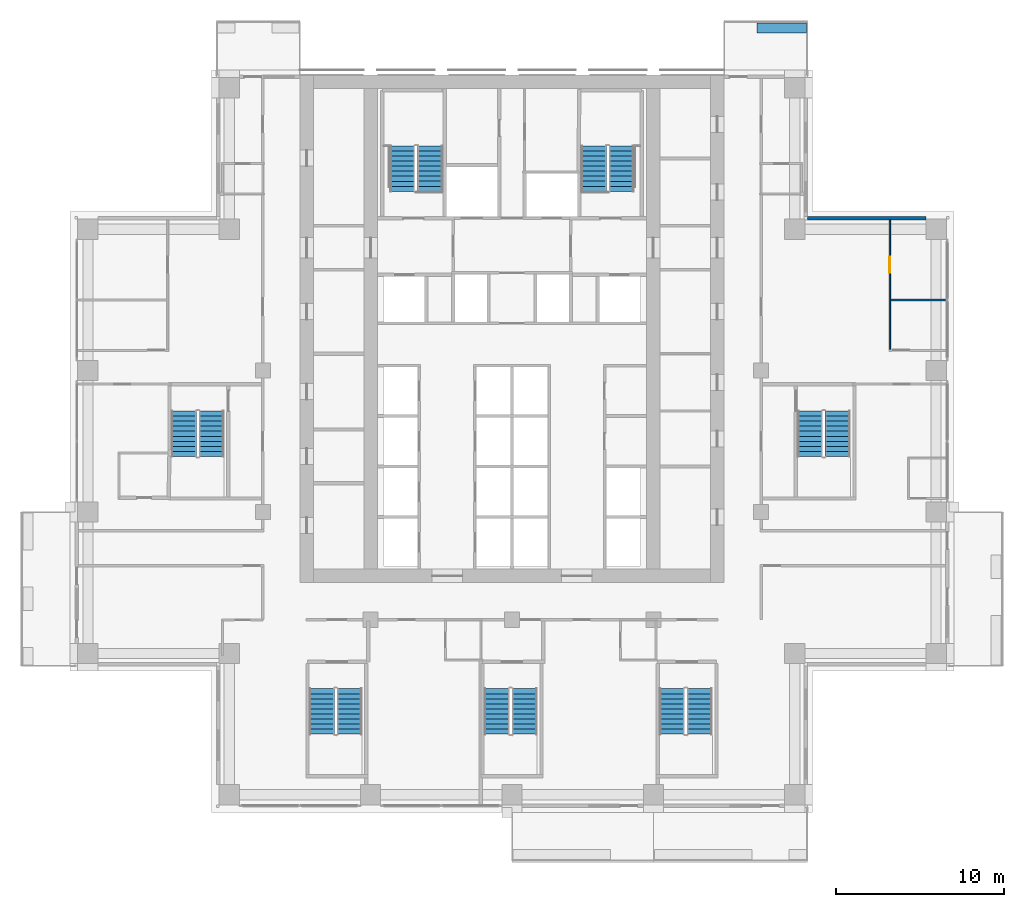
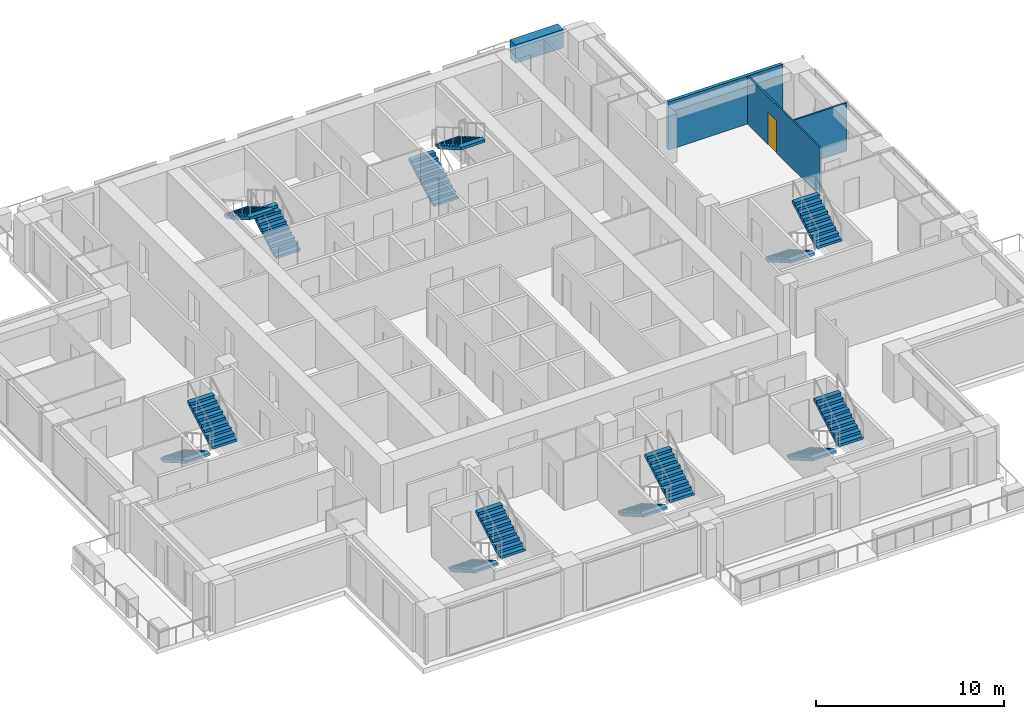
# One storey, part 14 of 18: 14 stair flights, 4 walls, 1 door, 1 opening, 7 elements without a shape of their own.
"""IFC4 building model written with IfcOpenShell, lengths in metres."""

from ifc_helpers import new_model, si_unit, direction, frame, frame_2d, origin, place, context, subcontext, project, spatial, polyline, rectangle, outline, extrude, material, layer, layer_set, type_object, element, fill, aggregate, save


model = new_model("IFC4")

# Units and contexts
model_context = context("Model", 3, precision=1e-05, world=origin(), true_north=direction((0.0, 1.0)))
body_context = subcontext(model_context, "Body", "Model", "MODEL_VIEW")
ifc_project = project(units=[si_unit("LENGTHUNIT", "METRE"), si_unit("AREAUNIT", "SQUARE_METRE"), si_unit("VOLUMEUNIT", "CUBIC_METRE"), si_unit("PLANEANGLEUNIT", "RADIAN"), si_unit("MASSUNIT", "GRAM", prefix="KILO")], contexts=[model_context])

# Site, building, storey
site_placement = place(None, origin())
site = spatial("IfcSite", under=ifc_project, at=site_placement, CompositionType="ELEMENT")
building_placement = place(site_placement, origin())
building = spatial("IfcBuilding", under=site, at=building_placement, Name="Vermilion Ogive Tower", CompositionType="ELEMENT")
storey_placement = place(building_placement, frame((0.0, 0.0, 94.199951171875)))
storey = spatial("IfcBuildingStorey", under=building, at=storey_placement, Name="L23", CompositionType="ELEMENT", Elevation=94.199951171875)

# Wall
ifc_material_1 = material(Name="Gypsum board partition on steel studs", Category="steel")
ifc_layer_1 = layer(ifc_material_1, 0.10009765625)
ifc_layer_set_1 = layer_set([ifc_layer_1], Name="Partition 100 inner")
wall_type_1 = type_object("IfcWallType", Name="Partition 100 inner", PredefinedType="PARTITIONING", material=ifc_layer_set_1)
wall_1_placement = place(storey_placement, frame((22.5, 8.39990234375, 0.0), z_axis=(0.0, 0.0, 1.0), x_axis=(1.0, 0.0, 0.0)))
element("IfcWall", 1, at=wall_1_placement, inside=storey, type_object=wall_type_1, Name="L23-W-W030", PredefinedType="PARTITIONING", context=body_context, shape_type="SweptSolid", body=[
    extrude(rectangle(XDim=3.25, YDim=0.10009765625, at=frame_2d((1.625, 0.0))), origin(), (0.0, 0.0, 1.0), 3.130126953125),
])

# Wall, opening, door
wall_2_placement = place(storey_placement, frame((22.449951171875, 5.449951171875, 0.0), z_axis=(0.0, 0.0, 1.0), x_axis=(0.0, 1.0, 0.0)))
wall_2 = element("IfcWall", 2, at=wall_2_placement, inside=storey, type_object=wall_type_1, Name="L23-W-W064", PredefinedType="PARTITIONING", context=body_context, shape_type="SweptSolid", body=[
    extrude(rectangle(XDim=7.699951171875, YDim=0.10009765625, at=frame_2d((3.85009765625, 0.0))), origin(), (0.0, 0.0, 1.0), 3.130126953125),
])
opening_placement = place(wall_2_placement, frame((4.574951171875, 0.0, 0.0)))
opening = element("IfcOpeningElement", 3, at=opening_placement, cuts=wall_2, Name="Opening D2G2016", PredefinedType="OPENING", context=body_context, shape_type="SweptSolid", body=[
    extrude(rectangle(XDim=0.949951171875, YDim=2.10009765625, at=frame_2d((0.47509765625, 1.050048828125))), frame((0.0, 0.06005859375, 0.0), z_axis=(0.0, -1.0, 0.0), x_axis=(1.0, 0.0, 0.0)), (0.0, 0.0, 1.0), 0.1201171875),
])
ifc_material_2 = material(Name="Timber door leaf", Category="wood")
door_type = type_object("IfcDoorType", Name="Inner door 950 x 2100 FD30", OperationType="SINGLE_SWING_LEFT", PredefinedType="DOOR", material=ifc_material_2)
door_placement = place(opening_placement, origin())
door = element("IfcDoor", 4, at=door_placement, inside=storey, type_object=door_type, Name="L23-D-D016", OperationType="SINGLE_SWING_RIGHT", OverallHeight=2.10009765625, OverallWidth=0.949951171875, PredefinedType="DOOR", context=body_context, shape_type="SweptSolid", body=[
    extrude(rectangle(XDim=0.949951171875, YDim=2.10009765625, at=frame_2d((0.47509765625, 1.050048828125))), frame((0.0, 0.02490234375, 0.0), z_axis=(0.0, -1.0, 0.0), x_axis=(1.0, 0.0, 0.0)), (0.0, 0.0, 1.0), 0.050048828125),
])
fill(opening, door)

# Walls
ifc_material_3 = material(Name="Concrete B40", Category="concrete")
ifc_layer_2 = layer(ifc_material_3, 0.60009765625)
ifc_layer_set_2 = layer_set([ifc_layer_2], Name="Structural planter")
wall_type_2 = type_object("IfcWallType", Name="Structural planter", PredefinedType="USERDEFINED", material=ifc_layer_set_2)
wall_3_placement = place(storey_placement, frame((17.489990234375, 24.550048828125, -0.0400390625), z_axis=(0.0, 0.0, 1.0), x_axis=(-1.0, 0.0, 0.0)))
element("IfcWall", 5, at=wall_3_placement, inside=storey, type_object=wall_type_2, Name="Planter N101A1", ObjectType="PLANTER", PredefinedType="USERDEFINED", context=body_context, shape_type="SweptSolid", body=[
    extrude(rectangle(XDim=2.93994140625, YDim=0.60009765625, at=frame_2d((1.469970703125, 0.0))), origin(), (0.0, 0.0, 1.0), 1.2001953125),
])
ifc_material_4 = material(Name="Aluminium window wall framing", Category="aluminium")
ifc_layer_3 = layer(ifc_material_4, 0.199951171875)
ifc_layer_set_3 = layer_set([ifc_layer_3], Name="Window wall")
wall_type_3 = type_object("IfcWallType", Name="Window wall", PredefinedType="STANDARD", material=ifc_layer_set_3)
wall_4_placement = place(storey_placement, frame((24.60009765625, 13.25, 0.0), z_axis=(0.0, 0.0, 1.0), x_axis=(-1.0, 0.0, 0.0)))
element("IfcWall", 6, at=wall_4_placement, inside=storey, type_object=wall_type_3, Name="Window wall X31", PredefinedType="STANDARD", context=body_context, shape_type="SweptSolid", body=[
    extrude(rectangle(XDim=7.050048828125, YDim=0.199951171875, at=frame_2d((3.52490234375, 0.0))), origin(), (0.0, 0.0, 1.0), 3.130126953125),
])

# Stair, stair flights
ifc_material_5 = material(Name="Concrete B40", Category="concrete")
stair_type = type_object("IfcStairType", Name="Exit stair 1500", PredefinedType="HALF_TURN_STAIR", material=ifc_material_5)
stair_1_placement = place(storey_placement, origin())
stair_1 = element("IfcStair", 7, at=stair_1_placement, inside=storey, type_object=stair_type, Name="L23 Exit Stair ST1", PredefinedType="HALF_TURN_STAIR")
ifc_material_6 = material(Name="Concrete B40", Category="concrete")
stair_flight_type = type_object("IfcStairFlightType", Name="Stair flight 1500", PredefinedType="STRAIGHT", material=ifc_material_6)
stair_flight_1_placement = place(storey_placement, frame((-4.85009765625, 14.85009765625, 0.0), z_axis=(0.0, 0.0, 1.0), x_axis=(0.0, 1.0, 0.0)))
stair_flight_1 = element("IfcStairFlight", 8, at=stair_flight_1_placement, type_object=stair_flight_type, Name="ST1 flight 1", NumberOfRisers=10, NumberOfTreads=9, PredefinedType="STRAIGHT", RiserHeight=0.1725, TreadLength=0.3, context=body_context, shape_type="SweptSolid", body=[
    extrude(outline(polyline([(0.0, 0.0), (0.0, 0.172607421875), (0.300048828125, 0.172607421875), (0.300048828125, 0.344970703125), (0.60009765625, 0.344970703125), (0.60009765625, 0.517578125), (0.89990234375, 0.517578125), (0.89990234375, 0.68994140625), (1.199951171875, 0.68994140625), (1.199951171875, 0.862548828125), (1.5, 0.862548828125), (1.5, 1.034912109375), (1.800048828125, 1.034912109375), (1.800048828125, 1.20751953125), (2.10009765625, 1.20751953125), (2.10009765625, 1.3798828125), (2.39990234375, 1.3798828125), (2.39990234375, 1.552490234375), (2.699951171875, 1.552490234375), (2.699951171875, 1.72509765625), (2.699951171875, 1.379638671875), (0.30078125, 0.0), (0.0, 0.0)])), frame((0.0, 0.75, 0.0), z_axis=(0.0, -1.0, 0.0), x_axis=(1.0, 0.0, 0.0)), (0.0, 0.0, 1.0), 1.5),
])
stair_flight_2_placement = place(storey_placement, frame((-6.5, 17.550048828125, 1.72509765625), z_axis=(0.0, 0.0, 1.0), x_axis=(0.0, -1.0, 0.0)))
stair_flight_2 = element("IfcStairFlight", 9, at=stair_flight_2_placement, type_object=stair_flight_type, Name="ST1 flight 2", NumberOfRisers=10, NumberOfTreads=9, PredefinedType="STRAIGHT", RiserHeight=0.1725, TreadLength=0.3, context=body_context, shape_type="SweptSolid", body=[
    extrude(outline(polyline([(0.0, 0.0), (0.0, 0.172607421875), (0.300048828125, 0.172607421875), (0.300048828125, 0.344970703125), (0.60009765625, 0.344970703125), (0.60009765625, 0.517578125), (0.89990234375, 0.517578125), (0.89990234375, 0.68994140625), (1.199951171875, 0.68994140625), (1.199951171875, 0.862548828125), (1.5, 0.862548828125), (1.5, 1.034912109375), (1.800048828125, 1.034912109375), (1.800048828125, 1.20751953125), (2.10009765625, 1.20751953125), (2.10009765625, 1.3798828125), (2.39990234375, 1.3798828125), (2.39990234375, 1.552490234375), (2.699951171875, 1.552490234375), (2.699951171875, 1.72509765625), (2.699951171875, 1.379638671875), (0.30078125, 0.0), (0.0, 0.0)])), frame((0.0, 0.75, 0.0), z_axis=(0.0, -1.0, 0.0), x_axis=(1.0, 0.0, 0.0)), (0.0, 0.0, 1.0), 1.5),
])
aggregate(stair_1, [stair_flight_1, stair_flight_2])

stair_2_placement = place(storey_placement, origin())
stair_2 = element("IfcStair", 10, at=stair_2_placement, inside=storey, type_object=stair_type, Name="L23 Exit Stair ST2", PredefinedType="HALF_TURN_STAIR")
stair_flight_3_placement = place(storey_placement, frame((4.85009765625, 14.85009765625, 0.0), z_axis=(0.0, 0.0, 1.0), x_axis=(0.0, 1.0, 0.0)))
stair_flight_3 = element("IfcStairFlight", 11, at=stair_flight_3_placement, type_object=stair_flight_type, Name="ST2 flight 1", NumberOfRisers=10, NumberOfTreads=9, PredefinedType="STRAIGHT", RiserHeight=0.1725, TreadLength=0.3, context=body_context, shape_type="SweptSolid", body=[
    extrude(outline(polyline([(0.0, 0.0), (0.0, 0.172607421875), (0.300048828125, 0.172607421875), (0.300048828125, 0.344970703125), (0.60009765625, 0.344970703125), (0.60009765625, 0.517578125), (0.89990234375, 0.517578125), (0.89990234375, 0.68994140625), (1.199951171875, 0.68994140625), (1.199951171875, 0.862548828125), (1.5, 0.862548828125), (1.5, 1.034912109375), (1.800048828125, 1.034912109375), (1.800048828125, 1.20751953125), (2.10009765625, 1.20751953125), (2.10009765625, 1.3798828125), (2.39990234375, 1.3798828125), (2.39990234375, 1.552490234375), (2.699951171875, 1.552490234375), (2.699951171875, 1.72509765625), (2.699951171875, 1.379638671875), (0.30078125, 0.0), (0.0, 0.0)])), frame((0.0, 0.75, 0.0), z_axis=(0.0, -1.0, 0.0), x_axis=(1.0, 0.0, 0.0)), (0.0, 0.0, 1.0), 1.5),
])
stair_flight_4_placement = place(storey_placement, frame((6.5, 17.550048828125, 1.72509765625), z_axis=(0.0, 0.0, 1.0), x_axis=(0.0, -1.0, 0.0)))
stair_flight_4 = element("IfcStairFlight", 12, at=stair_flight_4_placement, type_object=stair_flight_type, Name="ST2 flight 2", NumberOfRisers=10, NumberOfTreads=9, PredefinedType="STRAIGHT", RiserHeight=0.1725, TreadLength=0.3, context=body_context, shape_type="SweptSolid", body=[
    extrude(outline(polyline([(0.0, 0.0), (0.0, 0.172607421875), (0.300048828125, 0.172607421875), (0.300048828125, 0.344970703125), (0.60009765625, 0.344970703125), (0.60009765625, 0.517578125), (0.89990234375, 0.517578125), (0.89990234375, 0.68994140625), (1.199951171875, 0.68994140625), (1.199951171875, 0.862548828125), (1.5, 0.862548828125), (1.5, 1.034912109375), (1.800048828125, 1.034912109375), (1.800048828125, 1.20751953125), (2.10009765625, 1.20751953125), (2.10009765625, 1.3798828125), (2.39990234375, 1.3798828125), (2.39990234375, 1.552490234375), (2.699951171875, 1.552490234375), (2.699951171875, 1.72509765625), (2.699951171875, 1.379638671875), (0.30078125, 0.0), (0.0, 0.0)])), frame((0.0, 0.75, 0.0), z_axis=(0.0, -1.0, 0.0), x_axis=(1.0, 0.0, 0.0)), (0.0, 0.0, 1.0), 1.5),
])
aggregate(stair_2, [stair_flight_3, stair_flight_4])

stair_3_placement = place(storey_placement, origin())
stair_3 = element("IfcStair", 13, at=stair_3_placement, inside=storey, type_object=stair_type, Name="L23 Exit Stair ST3", PredefinedType="HALF_TURN_STAIR")
stair_flight_5_placement = place(storey_placement, frame((-11.300048828125, -14.699951171875, 0.0), z_axis=(0.0, 0.0, 1.0), x_axis=(0.0, -1.0, 0.0)))
stair_flight_5 = element("IfcStairFlight", 14, at=stair_flight_5_placement, type_object=stair_flight_type, Name="ST3 flight 1", NumberOfRisers=10, NumberOfTreads=9, PredefinedType="STRAIGHT", RiserHeight=0.1725, TreadLength=0.3, context=body_context, shape_type="SweptSolid", body=[
    extrude(outline(polyline([(0.0, 0.0), (0.0, 0.172607421875), (0.300048828125, 0.172607421875), (0.300048828125, 0.344970703125), (0.60009765625, 0.344970703125), (0.60009765625, 0.517578125), (0.89990234375, 0.517578125), (0.89990234375, 0.68994140625), (1.199951171875, 0.68994140625), (1.199951171875, 0.862548828125), (1.5, 0.862548828125), (1.5, 1.034912109375), (1.800048828125, 1.034912109375), (1.800048828125, 1.20751953125), (2.10009765625, 1.20751953125), (2.10009765625, 1.3798828125), (2.39990234375, 1.3798828125), (2.39990234375, 1.552490234375), (2.699951171875, 1.552490234375), (2.699951171875, 1.72509765625), (2.699951171875, 1.379638671875), (0.30078125, 0.0), (0.0, 0.0)])), frame((0.0, 0.75, 0.0), z_axis=(0.0, -1.0, 0.0), x_axis=(1.0, 0.0, 0.0)), (0.0, 0.0, 1.0), 1.5),
])
stair_flight_6_placement = place(storey_placement, frame((-9.64990234375, -17.39990234375, 1.72509765625), z_axis=(0.0, 0.0, 1.0), x_axis=(0.0, 1.0, 0.0)))
stair_flight_6 = element("IfcStairFlight", 15, at=stair_flight_6_placement, type_object=stair_flight_type, Name="ST3 flight 2", NumberOfRisers=10, NumberOfTreads=9, PredefinedType="STRAIGHT", RiserHeight=0.1725, TreadLength=0.3, context=body_context, shape_type="SweptSolid", body=[
    extrude(outline(polyline([(0.0, 0.0), (0.0, 0.172607421875), (0.300048828125, 0.172607421875), (0.300048828125, 0.344970703125), (0.60009765625, 0.344970703125), (0.60009765625, 0.517578125), (0.89990234375, 0.517578125), (0.89990234375, 0.68994140625), (1.199951171875, 0.68994140625), (1.199951171875, 0.862548828125), (1.5, 0.862548828125), (1.5, 1.034912109375), (1.800048828125, 1.034912109375), (1.800048828125, 1.20751953125), (2.10009765625, 1.20751953125), (2.10009765625, 1.3798828125), (2.39990234375, 1.3798828125), (2.39990234375, 1.552490234375), (2.699951171875, 1.552490234375), (2.699951171875, 1.72509765625), (2.699951171875, 1.379638671875), (0.30078125, 0.0), (0.0, 0.0)])), frame((0.0, 0.75, 0.0), z_axis=(0.0, -1.0, 0.0), x_axis=(1.0, 0.0, 0.0)), (0.0, 0.0, 1.0), 1.5),
])
aggregate(stair_3, [stair_flight_5, stair_flight_6])

stair_4_placement = place(storey_placement, origin())
stair_4 = element("IfcStair", 16, at=stair_4_placement, inside=storey, type_object=stair_type, Name="L23 Exit Stair ST4", PredefinedType="HALF_TURN_STAIR")
stair_flight_7_placement = place(storey_placement, frame((-0.89990234375, -14.699951171875, 0.0), z_axis=(0.0, 0.0, 1.0), x_axis=(0.0, -1.0, 0.0)))
stair_flight_7 = element("IfcStairFlight", 17, at=stair_flight_7_placement, type_object=stair_flight_type, Name="ST4 flight 1", NumberOfRisers=10, NumberOfTreads=9, PredefinedType="STRAIGHT", RiserHeight=0.1725, TreadLength=0.3, context=body_context, shape_type="SweptSolid", body=[
    extrude(outline(polyline([(0.0, 0.0), (0.0, 0.172607421875), (0.300048828125, 0.172607421875), (0.300048828125, 0.344970703125), (0.60009765625, 0.344970703125), (0.60009765625, 0.517578125), (0.89990234375, 0.517578125), (0.89990234375, 0.68994140625), (1.199951171875, 0.68994140625), (1.199951171875, 0.862548828125), (1.5, 0.862548828125), (1.5, 1.034912109375), (1.800048828125, 1.034912109375), (1.800048828125, 1.20751953125), (2.10009765625, 1.20751953125), (2.10009765625, 1.3798828125), (2.39990234375, 1.3798828125), (2.39990234375, 1.552490234375), (2.699951171875, 1.552490234375), (2.699951171875, 1.72509765625), (2.699951171875, 1.379638671875), (0.30078125, 0.0), (0.0, 0.0)])), frame((0.0, 0.75, 0.0), z_axis=(0.0, -1.0, 0.0), x_axis=(1.0, 0.0, 0.0)), (0.0, 0.0, 1.0), 1.5),
])
stair_flight_8_placement = place(storey_placement, frame((0.75, -17.39990234375, 1.72509765625), z_axis=(0.0, 0.0, 1.0), x_axis=(0.0, 1.0, 0.0)))
stair_flight_8 = element("IfcStairFlight", 18, at=stair_flight_8_placement, type_object=stair_flight_type, Name="ST4 flight 2", NumberOfRisers=10, NumberOfTreads=9, PredefinedType="STRAIGHT", RiserHeight=0.1725, TreadLength=0.3, context=body_context, shape_type="SweptSolid", body=[
    extrude(outline(polyline([(0.0, 0.0), (0.0, 0.172607421875), (0.300048828125, 0.172607421875), (0.300048828125, 0.344970703125), (0.60009765625, 0.344970703125), (0.60009765625, 0.517578125), (0.89990234375, 0.517578125), (0.89990234375, 0.68994140625), (1.199951171875, 0.68994140625), (1.199951171875, 0.862548828125), (1.5, 0.862548828125), (1.5, 1.034912109375), (1.800048828125, 1.034912109375), (1.800048828125, 1.20751953125), (2.10009765625, 1.20751953125), (2.10009765625, 1.3798828125), (2.39990234375, 1.3798828125), (2.39990234375, 1.552490234375), (2.699951171875, 1.552490234375), (2.699951171875, 1.72509765625), (2.699951171875, 1.379638671875), (0.30078125, 0.0), (0.0, 0.0)])), frame((0.0, 0.75, 0.0), z_axis=(0.0, -1.0, 0.0), x_axis=(1.0, 0.0, 0.0)), (0.0, 0.0, 1.0), 1.5),
])
aggregate(stair_4, [stair_flight_7, stair_flight_8])

stair_5_placement = place(storey_placement, origin())
stair_5 = element("IfcStair", 19, at=stair_5_placement, inside=storey, type_object=stair_type, Name="L23 Exit Stair ST5", PredefinedType="HALF_TURN_STAIR")
stair_flight_9_placement = place(storey_placement, frame((9.5, -14.699951171875, 0.0), z_axis=(0.0, 0.0, 1.0), x_axis=(0.0, -1.0, 0.0)))
stair_flight_9 = element("IfcStairFlight", 20, at=stair_flight_9_placement, type_object=stair_flight_type, Name="ST5 flight 1", NumberOfRisers=10, NumberOfTreads=9, PredefinedType="STRAIGHT", RiserHeight=0.1725, TreadLength=0.3, context=body_context, shape_type="SweptSolid", body=[
    extrude(outline(polyline([(0.0, 0.0), (0.0, 0.172607421875), (0.300048828125, 0.172607421875), (0.300048828125, 0.344970703125), (0.60009765625, 0.344970703125), (0.60009765625, 0.517578125), (0.89990234375, 0.517578125), (0.89990234375, 0.68994140625), (1.199951171875, 0.68994140625), (1.199951171875, 0.862548828125), (1.5, 0.862548828125), (1.5, 1.034912109375), (1.800048828125, 1.034912109375), (1.800048828125, 1.20751953125), (2.10009765625, 1.20751953125), (2.10009765625, 1.3798828125), (2.39990234375, 1.3798828125), (2.39990234375, 1.552490234375), (2.699951171875, 1.552490234375), (2.699951171875, 1.72509765625), (2.699951171875, 1.379638671875), (0.30078125, 0.0), (0.0, 0.0)])), frame((0.0, 0.75, 0.0), z_axis=(0.0, -1.0, 0.0), x_axis=(1.0, 0.0, 0.0)), (0.0, 0.0, 1.0), 1.5),
])
stair_flight_10_placement = place(storey_placement, frame((11.14990234375, -17.39990234375, 1.72509765625), z_axis=(0.0, 0.0, 1.0), x_axis=(0.0, 1.0, 0.0)))
stair_flight_10 = element("IfcStairFlight", 21, at=stair_flight_10_placement, type_object=stair_flight_type, Name="ST5 flight 2", NumberOfRisers=10, NumberOfTreads=9, PredefinedType="STRAIGHT", RiserHeight=0.1725, TreadLength=0.3, context=body_context, shape_type="SweptSolid", body=[
    extrude(outline(polyline([(0.0, 0.0), (0.0, 0.172607421875), (0.300048828125, 0.172607421875), (0.300048828125, 0.344970703125), (0.60009765625, 0.344970703125), (0.60009765625, 0.517578125), (0.89990234375, 0.517578125), (0.89990234375, 0.68994140625), (1.199951171875, 0.68994140625), (1.199951171875, 0.862548828125), (1.5, 0.862548828125), (1.5, 1.034912109375), (1.800048828125, 1.034912109375), (1.800048828125, 1.20751953125), (2.10009765625, 1.20751953125), (2.10009765625, 1.3798828125), (2.39990234375, 1.3798828125), (2.39990234375, 1.552490234375), (2.699951171875, 1.552490234375), (2.699951171875, 1.72509765625), (2.699951171875, 1.379638671875), (0.30078125, 0.0), (0.0, 0.0)])), frame((0.0, 0.75, 0.0), z_axis=(0.0, -1.0, 0.0), x_axis=(1.0, 0.0, 0.0)), (0.0, 0.0, 1.0), 1.5),
])
aggregate(stair_5, [stair_flight_9, stair_flight_10])

stair_6_placement = place(storey_placement, origin())
stair_6 = element("IfcStair", 22, at=stair_6_placement, inside=storey, type_object=stair_type, Name="L23 Exit Stair ST8", PredefinedType="HALF_TURN_STAIR")
stair_flight_11_placement = place(storey_placement, frame((17.699951171875, 1.800048828125, 0.0), z_axis=(0.0, 0.0, 1.0), x_axis=(0.0, -1.0, 0.0)))
stair_flight_11 = element("IfcStairFlight", 23, at=stair_flight_11_placement, type_object=stair_flight_type, Name="ST8 flight 1", NumberOfRisers=10, NumberOfTreads=9, PredefinedType="STRAIGHT", RiserHeight=0.1725, TreadLength=0.3, context=body_context, shape_type="SweptSolid", body=[
    extrude(outline(polyline([(0.0, 0.0), (0.0, 0.172607421875), (0.300048828125, 0.172607421875), (0.300048828125, 0.344970703125), (0.60009765625, 0.344970703125), (0.60009765625, 0.517578125), (0.89990234375, 0.517578125), (0.89990234375, 0.68994140625), (1.199951171875, 0.68994140625), (1.199951171875, 0.862548828125), (1.5, 0.862548828125), (1.5, 1.034912109375), (1.800048828125, 1.034912109375), (1.800048828125, 1.20751953125), (2.10009765625, 1.20751953125), (2.10009765625, 1.3798828125), (2.39990234375, 1.3798828125), (2.39990234375, 1.552490234375), (2.699951171875, 1.552490234375), (2.699951171875, 1.72509765625), (2.699951171875, 1.379638671875), (0.30078125, 0.0), (0.0, 0.0)])), frame((0.0, 0.75, 0.0), z_axis=(0.0, -1.0, 0.0), x_axis=(1.0, 0.0, 0.0)), (0.0, 0.0, 1.0), 1.5),
])
stair_flight_12_placement = place(storey_placement, frame((19.35009765625, -0.89990234375, 1.72509765625), z_axis=(0.0, 0.0, 1.0), x_axis=(0.0, 1.0, 0.0)))
stair_flight_12 = element("IfcStairFlight", 24, at=stair_flight_12_placement, type_object=stair_flight_type, Name="ST8 flight 2", NumberOfRisers=10, NumberOfTreads=9, PredefinedType="STRAIGHT", RiserHeight=0.1725, TreadLength=0.3, context=body_context, shape_type="SweptSolid", body=[
    extrude(outline(polyline([(0.0, 0.0), (0.0, 0.172607421875), (0.300048828125, 0.172607421875), (0.300048828125, 0.344970703125), (0.60009765625, 0.344970703125), (0.60009765625, 0.517578125), (0.89990234375, 0.517578125), (0.89990234375, 0.68994140625), (1.199951171875, 0.68994140625), (1.199951171875, 0.862548828125), (1.5, 0.862548828125), (1.5, 1.034912109375), (1.800048828125, 1.034912109375), (1.800048828125, 1.20751953125), (2.10009765625, 1.20751953125), (2.10009765625, 1.3798828125), (2.39990234375, 1.3798828125), (2.39990234375, 1.552490234375), (2.699951171875, 1.552490234375), (2.699951171875, 1.72509765625), (2.699951171875, 1.379638671875), (0.30078125, 0.0), (0.0, 0.0)])), frame((0.0, 0.75, 0.0), z_axis=(0.0, -1.0, 0.0), x_axis=(1.0, 0.0, 0.0)), (0.0, 0.0, 1.0), 1.5),
])
aggregate(stair_6, [stair_flight_11, stair_flight_12])

stair_7_placement = place(storey_placement, origin())
stair_7 = element("IfcStair", 25, at=stair_7_placement, inside=storey, type_object=stair_type, Name="L23 Exit Stair ST9", PredefinedType="HALF_TURN_STAIR")
stair_flight_13_placement = place(storey_placement, frame((-19.5, 1.800048828125, 0.0), z_axis=(0.0, 0.0, 1.0), x_axis=(0.0, -1.0, 0.0)))
stair_flight_13 = element("IfcStairFlight", 26, at=stair_flight_13_placement, type_object=stair_flight_type, Name="ST9 flight 1", NumberOfRisers=10, NumberOfTreads=9, PredefinedType="STRAIGHT", RiserHeight=0.1725, TreadLength=0.3, context=body_context, shape_type="SweptSolid", body=[
    extrude(outline(polyline([(0.0, 0.0), (0.0, 0.172607421875), (0.300048828125, 0.172607421875), (0.300048828125, 0.344970703125), (0.60009765625, 0.344970703125), (0.60009765625, 0.517578125), (0.89990234375, 0.517578125), (0.89990234375, 0.68994140625), (1.199951171875, 0.68994140625), (1.199951171875, 0.862548828125), (1.5, 0.862548828125), (1.5, 1.034912109375), (1.800048828125, 1.034912109375), (1.800048828125, 1.20751953125), (2.10009765625, 1.20751953125), (2.10009765625, 1.3798828125), (2.39990234375, 1.3798828125), (2.39990234375, 1.552490234375), (2.699951171875, 1.552490234375), (2.699951171875, 1.72509765625), (2.699951171875, 1.379638671875), (0.30078125, 0.0), (0.0, 0.0)])), frame((0.0, 0.75, 0.0), z_axis=(0.0, -1.0, 0.0), x_axis=(1.0, 0.0, 0.0)), (0.0, 0.0, 1.0), 1.5),
])
stair_flight_14_placement = place(storey_placement, frame((-17.85009765625, -0.89990234375, 1.72509765625), z_axis=(0.0, 0.0, 1.0), x_axis=(0.0, 1.0, 0.0)))
stair_flight_14 = element("IfcStairFlight", 27, at=stair_flight_14_placement, type_object=stair_flight_type, Name="ST9 flight 2", NumberOfRisers=10, NumberOfTreads=9, PredefinedType="STRAIGHT", RiserHeight=0.1725, TreadLength=0.3, context=body_context, shape_type="SweptSolid", body=[
    extrude(outline(polyline([(0.0, 0.0), (0.0, 0.172607421875), (0.300048828125, 0.172607421875), (0.300048828125, 0.344970703125), (0.60009765625, 0.344970703125), (0.60009765625, 0.517578125), (0.89990234375, 0.517578125), (0.89990234375, 0.68994140625), (1.199951171875, 0.68994140625), (1.199951171875, 0.862548828125), (1.5, 0.862548828125), (1.5, 1.034912109375), (1.800048828125, 1.034912109375), (1.800048828125, 1.20751953125), (2.10009765625, 1.20751953125), (2.10009765625, 1.3798828125), (2.39990234375, 1.3798828125), (2.39990234375, 1.552490234375), (2.699951171875, 1.552490234375), (2.699951171875, 1.72509765625), (2.699951171875, 1.379638671875), (0.30078125, 0.0), (0.0, 0.0)])), frame((0.0, 0.75, 0.0), z_axis=(0.0, -1.0, 0.0), x_axis=(1.0, 0.0, 0.0)), (0.0, 0.0, 1.0), 1.5),
])
aggregate(stair_7, [stair_flight_13, stair_flight_14])

save(model, "model.ifc")
